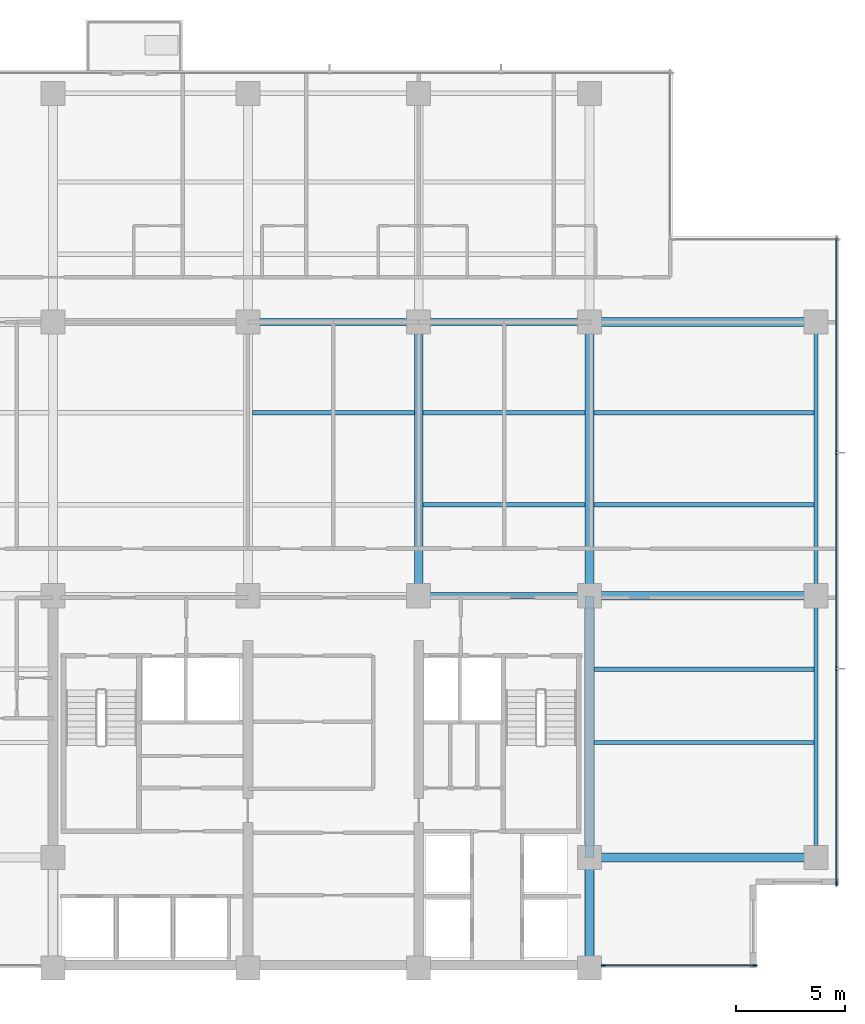
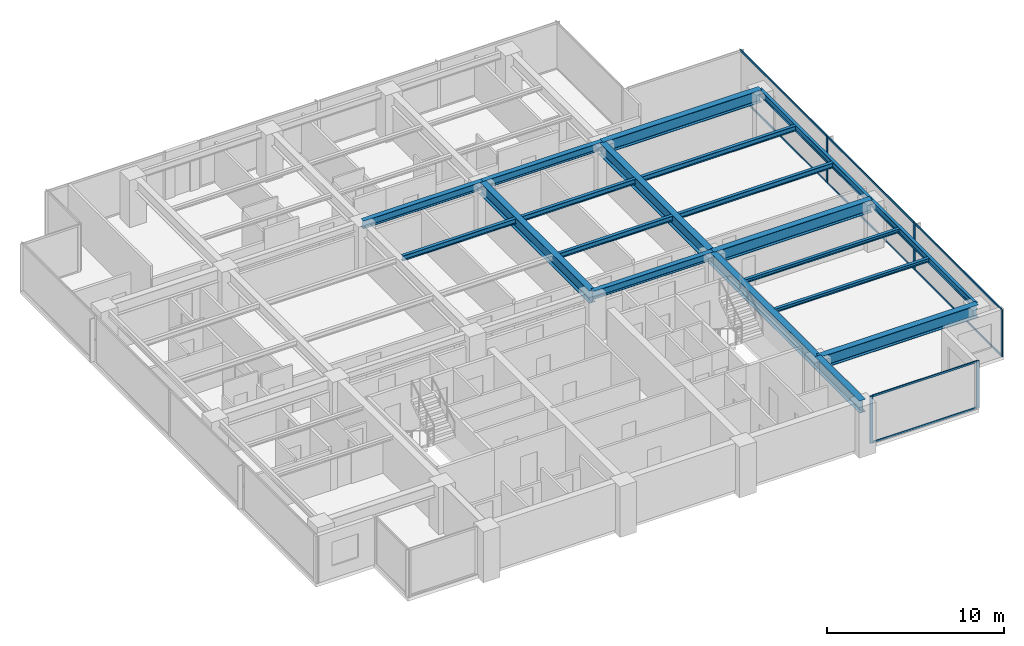
# One storey, part 3 of 14: 19 beams, 13 members, 2 elements without a shape of their own.
"""IFC4 building model written with IfcOpenShell, lengths in metres."""

from ifc_helpers import new_model, si_unit, direction, frame, origin, origin_2d, place, context, subcontext, project, spatial, rectangle, i_section, extrude, material, layer, layer_set, material_profile, profile_set, type_object, element, aggregate, save


model = new_model("IFC4")

# Units and contexts
model_context = context("Model", 3, precision=1e-05, world=origin(), true_north=direction((0.0, 1.0)))
body_context = subcontext(model_context, "Body", "Model", "MODEL_VIEW")
ifc_project = project(units=[si_unit("LENGTHUNIT", "METRE"), si_unit("AREAUNIT", "SQUARE_METRE"), si_unit("VOLUMEUNIT", "CUBIC_METRE"), si_unit("PLANEANGLEUNIT", "RADIAN"), si_unit("MASSUNIT", "GRAM", prefix="KILO")], contexts=[model_context])

# Site, building, storey
site_placement = place(None, origin())
site = spatial("IfcSite", under=ifc_project, at=site_placement, CompositionType="ELEMENT")
building_placement = place(site_placement, origin())
building = spatial("IfcBuilding", under=site, at=building_placement, Name="Qalmaran Belvedere Hotel", CompositionType="ELEMENT")
storey_placement = place(building_placement, frame((0.0, 0.0, 156.10009765625)))
storey = spatial("IfcBuildingStorey", under=building, at=storey_placement, Name="L39", CompositionType="ELEMENT", Elevation=156.10009765625)

# Beams
ifc_material_1 = material(Name="Steel S355JR", Category="steel")
ifc_material_profile_1 = material_profile(ifc_material_1, i_section(OverallWidth=0.201904296875, OverallDepth=0.2470703125, WebThickness=0.00732421875, FlangeThickness=0.010986328125, FilletRadius=0.011962890625, at=origin_2d()), Name="W250X49")
ifc_profile_set_1 = profile_set([ifc_material_profile_1], Name="Steel S355JR")
beam_type_1 = type_object("IfcBeamType", Name="BM-JST-W250X49", PredefinedType="JOIST", material=ifc_profile_set_1)
for number, where, z_axis, x_axis, name in (
    (1, (44.998046875, 13.800048828125, 3.12646484375), (1.0, 0.0, 0.0), (0.0, 1.0, 0.0), "L39 East Wing Joist 039"),
    (2, (44.998046875, 17.14990234375, 3.12646484375), (1.0, 0.0, 0.0), (0.0, 1.0, 0.0), "L39 East Wing Joist 041"),
):
    element("IfcBeam", number, at=place(storey_placement, frame(where, z_axis=z_axis, x_axis=x_axis)), inside=storey, type_object=beam_type_1, Name=name, PredefinedType="JOIST", context=body_context, shape_type="SweptSolid", body=[
        extrude(i_section(OverallWidth=0.201904296875, OverallDepth=0.2470703125, WebThickness=0.00732421875, FlangeThickness=0.010986328125, FilletRadius=0.011962890625, at=origin_2d()), origin(), (0.0, 0.0, 1.0), 10.057861328125),
    ])
ifc_material_profile_2 = material_profile(ifc_material_1, i_section(OverallWidth=0.39990234375, OverallDepth=0.85498046875, WebThickness=0.018310546875, FlangeThickness=0.029296875, FilletRadius=0.02392578125, at=origin_2d()), Name="W840X299")
ifc_profile_set_2 = profile_set([ifc_material_profile_2], Name="Steel S355JR")
beam_type_2 = type_object("IfcBeamType", Name="BM-PG3-W840X299", PredefinedType="USERDEFINED", material=ifc_profile_set_2)
for number, where, z_axis, x_axis, name in (
    (3, (37.0, 20.5, 2.822509765625), (0.0, 1.0, 0.0), (-1.0, 0.0, 0.0), "L39 Mid-Plate N-S Girder 18"),
    (4, (44.800048828125, 20.5, 2.822509765625), (0.0, 1.0, 0.0), (-1.0, 0.0, 0.0), "L39 Mid-Plate N-S Girder 20"),
):
    element("IfcBeam", number, at=place(storey_placement, frame(where, z_axis=z_axis, x_axis=x_axis)), inside=storey, type_object=beam_type_2, Name=name, ObjectType="GIRDER", PredefinedType="USERDEFINED", context=body_context, shape_type="SweptSolid", body=[
        extrude(i_section(OverallWidth=0.39990234375, OverallDepth=0.85498046875, WebThickness=0.018310546875, FlangeThickness=0.029296875, FilletRadius=0.02392578125, at=origin_2d()), origin(), (0.0, 0.0, 1.0), 12.5),
    ])
beam_1_placement = place(storey_placement, frame((44.800048828125, 3.5, 2.822509765625), z_axis=(0.0, 1.0, 0.0), x_axis=(-1.0, 0.0, 0.0)))
element("IfcBeam", 5, at=beam_1_placement, inside=storey, type_object=beam_type_2, Name="L39 East Core Edge Girder A", ObjectType="GIRDER", PredefinedType="USERDEFINED", context=body_context, shape_type="SweptSolid", body=[
    extrude(i_section(OverallWidth=0.39990234375, OverallDepth=0.85498046875, WebThickness=0.018310546875, FlangeThickness=0.029296875, FilletRadius=0.02392578125, at=origin_2d()), origin(), (0.0, 0.0, 1.0), 5.050048828125),
])
beam_2_placement = place(storey_placement, frame((44.800048828125, 8.550048828125, 2.822509765625), z_axis=(0.0, 1.0, 0.0), x_axis=(-1.0, 0.0, 0.0)))
element("IfcBeam", 6, at=beam_2_placement, inside=storey, type_object=beam_type_2, Name="L39 East Core Edge Girder B", ObjectType="GIRDER", PredefinedType="USERDEFINED", context=body_context, shape_type="SweptSolid", body=[
    extrude(i_section(OverallWidth=0.39990234375, OverallDepth=0.85498046875, WebThickness=0.018310546875, FlangeThickness=0.029296875, FilletRadius=0.02392578125, at=origin_2d()), origin(), (0.0, 0.0, 1.0), 11.949951171875),
])
for number, where, z_axis, x_axis, name in (
    (7, (44.800048828125, 8.550048828125, 2.822509765625), (1.0, 0.0, 0.0), (0.0, 1.0, 0.0), "L39 East Wing Girder 25"),
    (8, (44.800048828125, 20.5, 2.822509765625), (1.0, 0.0, 0.0), (0.0, 1.0, 0.0), "L39 East Wing Girder 26"),
    (9, (44.800048828125, 33.0, 2.822509765625), (1.0, 0.0, 0.0), (0.0, 1.0, 0.0), "L39 East Wing Girder 27"),
):
    element("IfcBeam", number, at=place(storey_placement, frame(where, z_axis=z_axis, x_axis=x_axis)), inside=storey, type_object=beam_type_2, Name=name, ObjectType="GIRDER", PredefinedType="USERDEFINED", context=body_context, shape_type="SweptSolid", body=[
        extrude(i_section(OverallWidth=0.39990234375, OverallDepth=0.85498046875, WebThickness=0.018310546875, FlangeThickness=0.029296875, FilletRadius=0.02392578125, at=origin_2d()), origin(), (0.0, 0.0, 1.0), 10.349853515625),
    ])
ifc_material_profile_3 = material_profile(ifc_material_1, i_section(OverallWidth=0.205078125, OverallDepth=0.35400390625, WebThickness=0.009521484375, FlangeThickness=0.016845703125, FilletRadius=0.014892578125, at=origin_2d()), Name="W360X79")
ifc_profile_set_3 = profile_set([ifc_material_profile_3], Name="Steel S355JR")
beam_type_3 = type_object("IfcBeamType", Name="BM-SB3-W360X79", PredefinedType="BEAM", material=ifc_profile_set_3)
beam_3_placement = place(storey_placement, frame((37.197998046875, 24.64990234375, 3.072998046875), z_axis=(1.0, 0.0, 0.0), x_axis=(0.0, 1.0, 0.0)))
element("IfcBeam", 10, at=beam_3_placement, inside=storey, type_object=beam_type_3, Name="L39 Secondary Floor Beam 031", PredefinedType="BEAM", context=body_context, shape_type="SweptSolid", body=[
    extrude(i_section(OverallWidth=0.205078125, OverallDepth=0.35400390625, WebThickness=0.009521484375, FlangeThickness=0.016845703125, FilletRadius=0.014892578125, at=origin_2d()), origin(), (0.0, 0.0, 1.0), 7.404052734375),
])
beam_4_placement = place(storey_placement, frame((44.998046875, 24.64990234375, 3.072998046875), z_axis=(1.0, 0.0, 0.0), x_axis=(0.0, 1.0, 0.0)))
element("IfcBeam", 11, at=beam_4_placement, inside=storey, type_object=beam_type_3, Name="L39 East Secondary Beam 032", PredefinedType="BEAM", context=body_context, shape_type="SweptSolid", body=[
    extrude(i_section(OverallWidth=0.205078125, OverallDepth=0.35400390625, WebThickness=0.009521484375, FlangeThickness=0.016845703125, FilletRadius=0.014892578125, at=origin_2d()), origin(), (0.0, 0.0, 1.0), 10.057861328125),
])
for number, where, z_axis, x_axis, name in (
    (12, (29.39794921875, 28.85009765625, 3.072998046875), (1.0, 0.0, 0.0), (0.0, 1.0, 0.0), "L39 Secondary Floor Beam 035"),
    (13, (37.197998046875, 28.85009765625, 3.072998046875), (1.0, 0.0, 0.0), (0.0, 1.0, 0.0), "L39 Secondary Floor Beam 036"),
):
    element("IfcBeam", number, at=place(storey_placement, frame(where, z_axis=z_axis, x_axis=x_axis)), inside=storey, type_object=beam_type_3, Name=name, PredefinedType="BEAM", context=body_context, shape_type="SweptSolid", body=[
        extrude(i_section(OverallWidth=0.205078125, OverallDepth=0.35400390625, WebThickness=0.009521484375, FlangeThickness=0.016845703125, FilletRadius=0.014892578125, at=origin_2d()), origin(), (0.0, 0.0, 1.0), 7.404052734375),
    ])
beam_5_placement = place(storey_placement, frame((44.998046875, 28.85009765625, 3.072998046875), z_axis=(1.0, 0.0, 0.0), x_axis=(0.0, 1.0, 0.0)))
element("IfcBeam", 14, at=beam_5_placement, inside=storey, type_object=beam_type_3, Name="L39 East Secondary Beam 037", PredefinedType="BEAM", context=body_context, shape_type="SweptSolid", body=[
    extrude(i_section(OverallWidth=0.205078125, OverallDepth=0.35400390625, WebThickness=0.009521484375, FlangeThickness=0.016845703125, FilletRadius=0.014892578125, at=origin_2d()), origin(), (0.0, 0.0, 1.0), 10.057861328125),
])
ifc_material_profile_4 = material_profile(ifc_material_1, i_section(OverallWidth=0.19189453125, OverallDepth=0.462890625, WebThickness=0.010498046875, FlangeThickness=0.017578125, FilletRadius=0.01611328125, at=origin_2d()), Name="W460X89")
ifc_profile_set_4 = profile_set([ifc_material_profile_4], Name="Steel S355JR")
beam_type_4 = type_object("IfcBeamType", Name="BM-SP2-W460X89", PredefinedType="SPANDREL", material=ifc_profile_set_4)
beam_6_placement = place(storey_placement, frame((55.14990234375, 8.550048828125, 3.018310546875), z_axis=(0.0, 1.0, 0.0), x_axis=(-1.0, 0.0, 0.0)))
element("IfcBeam", 15, at=beam_6_placement, inside=storey, type_object=beam_type_4, Name="L39 Perimeter Spandrel 03", PredefinedType="SPANDREL", context=body_context, shape_type="SweptSolid", body=[
    extrude(i_section(OverallWidth=0.19189453125, OverallDepth=0.462890625, WebThickness=0.010498046875, FlangeThickness=0.017578125, FilletRadius=0.01611328125, at=origin_2d()), origin(), (0.0, 0.0, 1.0), 11.949951171875),
])
beam_7_placement = place(storey_placement, frame((55.14990234375, 20.5, 3.018310546875), z_axis=(0.0, 1.0, 0.0), x_axis=(-1.0, 0.0, 0.0)))
element("IfcBeam", 16, at=beam_7_placement, inside=storey, type_object=beam_type_4, Name="L39 Perimeter Spandrel 04", PredefinedType="SPANDREL", context=body_context, shape_type="SweptSolid", body=[
    extrude(i_section(OverallWidth=0.19189453125, OverallDepth=0.462890625, WebThickness=0.010498046875, FlangeThickness=0.017578125, FilletRadius=0.01611328125, at=origin_2d()), origin(), (0.0, 0.0, 1.0), 12.5),
])
ifc_material_profile_5 = material_profile(ifc_material_1, i_section(OverallWidth=0.31201171875, OverallDepth=0.54296875, WebThickness=0.0126953125, FlangeThickness=0.020263671875, FilletRadius=0.01806640625, at=origin_2d()), Name="W530X150")
ifc_profile_set_5 = profile_set([ifc_material_profile_5], Name="Steel S355JR")
beam_type_5 = type_object("IfcBeamType", Name="BM-Z3-W530X150", PredefinedType="USERDEFINED", material=ifc_profile_set_5)
for number, where, z_axis, x_axis, name in (
    (17, (37.0, 20.5, 2.978515625), (1.0, 0.0, 0.0), (0.0, 1.0, 0.0), "L39 Interior E-W Girder 10"),
    (18, (29.199951171875, 33.0, 2.978515625), (1.0, 0.0, 0.0), (0.0, 1.0, 0.0), "L39 Interior E-W Girder 12"),
    (19, (37.0, 33.0, 2.978515625), (1.0, 0.0, 0.0), (0.0, 1.0, 0.0), "L39 Interior E-W Girder 13"),
):
    element("IfcBeam", number, at=place(storey_placement, frame(where, z_axis=z_axis, x_axis=x_axis)), inside=storey, type_object=beam_type_5, Name=name, ObjectType="GIRDER", PredefinedType="USERDEFINED", context=body_context, shape_type="SweptSolid", body=[
        extrude(i_section(OverallWidth=0.31201171875, OverallDepth=0.54296875, WebThickness=0.0126953125, FlangeThickness=0.020263671875, FilletRadius=0.01806640625, at=origin_2d()), origin(), (0.0, 0.0, 1.0), 7.800048828125),
    ])

# Curtain wall, members
ifc_material_2 = material(Name="Anodised Bronze Aluminium", Category="aluminium")
ifc_layer = layer(ifc_material_2, 0.195068359375, Name="Anodised Bronze Aluminium")
ifc_layer_set = layer_set([ifc_layer], Name="Anodised Bronze Aluminium")
curtain_wall_type = type_object("IfcCurtainWallType", Name="CW4-TOWER-HIGHMID", PredefinedType="NOTDEFINED", material=ifc_layer_set)
curtain_wall_1_placement = place(storey_placement, origin())
curtain_wall_1 = element("IfcCurtainWall", 20, at=curtain_wall_1_placement, inside=storey, type_object=curtain_wall_type, Name="L39 Curtain Wall CW4", PredefinedType="NOTDEFINED")
ifc_material_profile_6 = material_profile(ifc_material_2, rectangle(XDim=0.070068359375, YDim=0.18994140625, at=origin_2d()), Name="CWM70X190")
ifc_profile_set_6 = profile_set([ifc_material_profile_6], Name="Anodised Bronze Aluminium")
member_type_1 = type_object("IfcMemberType", Name="CWM-70X190", PredefinedType="MULLION", material=ifc_profile_set_6)
member_1_placement = place(storey_placement, frame((45.425048828125, 3.6201171875, 0.0), z_axis=(0.0, 0.0, 1.0), x_axis=(0.0, 1.0, 0.0)))
member_1 = element("IfcMember", 21, at=member_1_placement, type_object=member_type_1, Name="CW4 mullion 1", PredefinedType="MULLION", context=body_context, shape_type="SweptSolid", body=[
    extrude(rectangle(XDim=0.070068359375, YDim=0.18994140625, at=origin_2d()), origin(), (0.0, 0.0, 1.0), 3.25),
])
member_2_placement = place(storey_placement, frame((52.364990234375, 3.6201171875, 0.0), z_axis=(0.0, 0.0, 1.0), x_axis=(0.0, 1.0, 0.0)))
member_2 = element("IfcMember", 22, at=member_2_placement, type_object=member_type_1, Name="CW4 mullion 2", PredefinedType="MULLION", context=body_context, shape_type="SweptSolid", body=[
    extrude(rectangle(XDim=0.070068359375, YDim=0.18994140625, at=origin_2d()), origin(), (0.0, 0.0, 1.0), 3.25),
])

curtain_wall_2_placement = place(storey_placement, origin())
curtain_wall_2 = element("IfcCurtainWall", 23, at=curtain_wall_2_placement, inside=storey, type_object=curtain_wall_type, Name="L39 Curtain Wall CW4", PredefinedType="NOTDEFINED")
member_3_placement = place(storey_placement, frame((56.080078125, 7.3349609375, 0.0), z_axis=(0.0, 0.0, 1.0), x_axis=(-1.0, 0.0, 0.0)))
member_3 = element("IfcMember", 24, at=member_3_placement, type_object=member_type_1, Name="CW4 mullion 1", PredefinedType="MULLION", context=body_context, shape_type="SweptSolid", body=[
    extrude(rectangle(XDim=0.070068359375, YDim=0.18994140625, at=origin_2d()), origin(), (0.0, 0.0, 1.0), 3.25),
])
member_4_placement = place(storey_placement, frame((56.080078125, 17.166748046875, 0.0), z_axis=(0.0, 0.0, 1.0), x_axis=(-1.0, 0.0, 0.0)))
member_4 = element("IfcMember", 25, at=member_4_placement, type_object=member_type_1, Name="CW4 mullion 2", PredefinedType="MULLION", context=body_context, shape_type="SweptSolid", body=[
    extrude(rectangle(XDim=0.070068359375, YDim=0.18994140625, at=origin_2d()), origin(), (0.0, 0.0, 1.0), 3.25),
])
member_5_placement = place(storey_placement, frame((56.080078125, 27.033447265625, 0.0), z_axis=(0.0, 0.0, 1.0), x_axis=(-1.0, 0.0, 0.0)))
member_5 = element("IfcMember", 26, at=member_5_placement, type_object=member_type_1, Name="CW4 mullion 3", PredefinedType="MULLION", context=body_context, shape_type="SweptSolid", body=[
    extrude(rectangle(XDim=0.070068359375, YDim=0.18994140625, at=origin_2d()), origin(), (0.0, 0.0, 1.0), 3.25),
])

# Member
ifc_material_profile_7 = material_profile(ifc_material_2, rectangle(XDim=0.06494140625, YDim=0.1298828125, at=origin_2d()), Name="CWT65X130")
ifc_profile_set_7 = profile_set([ifc_material_profile_7], Name="Anodised Bronze Aluminium")
member_type_2 = type_object("IfcMemberType", Name="CWT-65X130", PredefinedType="USERDEFINED", material=ifc_profile_set_7)
member_6_placement = place(storey_placement, frame((45.4599609375, 3.6201171875, 0.032470703125), z_axis=(1.0, 0.0, 0.0), x_axis=(0.0, 1.0, 0.0)))
member_6 = element("IfcMember", 27, at=member_6_placement, type_object=member_type_2, Name="CW4 transom 1.1", ObjectType="TRANSOM", PredefinedType="USERDEFINED", context=body_context, shape_type="SweptSolid", body=[
    extrude(rectangle(XDim=0.06494140625, YDim=0.1298828125, at=origin_2d()), origin(), (0.0, 0.0, 1.0), 6.8701171875),
])

member_7_placement = place(storey_placement, frame((45.4599609375, 3.6201171875, 3.21728515625), z_axis=(1.0, 0.0, 0.0), x_axis=(0.0, 1.0, 0.0)))
member_7 = element("IfcMember", 28, at=member_7_placement, type_object=member_type_2, Name="CW4 transom 1.2", ObjectType="TRANSOM", PredefinedType="USERDEFINED", context=body_context, shape_type="SweptSolid", body=[
    extrude(rectangle(XDim=0.06494140625, YDim=0.1298828125, at=origin_2d()), origin(), (0.0, 0.0, 1.0), 6.8701171875),
])

aggregate(curtain_wall_1, [member_1, member_2, member_6, member_7])

member_8_placement = place(storey_placement, frame((56.080078125, 7.3701171875, 0.032470703125), z_axis=(0.0, 1.0, 0.0), x_axis=(-1.0, 0.0, 0.0)))
member_8 = element("IfcMember", 29, at=member_8_placement, type_object=member_type_2, Name="CW4 transom 1.1", ObjectType="TRANSOM", PredefinedType="USERDEFINED", context=body_context, shape_type="SweptSolid", body=[
    extrude(rectangle(XDim=0.06494140625, YDim=0.1298828125, at=origin_2d()), origin(), (0.0, 0.0, 1.0), 9.761474609375),
])

member_9_placement = place(storey_placement, frame((56.080078125, 7.3701171875, 3.21728515625), z_axis=(0.0, 1.0, 0.0), x_axis=(-1.0, 0.0, 0.0)))
member_9 = element("IfcMember", 30, at=member_9_placement, type_object=member_type_2, Name="CW4 transom 1.2", ObjectType="TRANSOM", PredefinedType="USERDEFINED", context=body_context, shape_type="SweptSolid", body=[
    extrude(rectangle(XDim=0.06494140625, YDim=0.1298828125, at=origin_2d()), origin(), (0.0, 0.0, 1.0), 9.761474609375),
])

member_10_placement = place(storey_placement, frame((56.080078125, 17.20166015625, 0.032470703125), z_axis=(0.0, 1.0, 0.0), x_axis=(-1.0, 0.0, 0.0)))
member_10 = element("IfcMember", 31, at=member_10_placement, type_object=member_type_2, Name="CW4 transom 2.1", ObjectType="TRANSOM", PredefinedType="USERDEFINED", context=body_context, shape_type="SweptSolid", body=[
    extrude(rectangle(XDim=0.06494140625, YDim=0.1298828125, at=origin_2d()), origin(), (0.0, 0.0, 1.0), 9.796630859375),
])

member_11_placement = place(storey_placement, frame((56.080078125, 17.20166015625, 3.21728515625), z_axis=(0.0, 1.0, 0.0), x_axis=(-1.0, 0.0, 0.0)))
member_11 = element("IfcMember", 32, at=member_11_placement, type_object=member_type_2, Name="CW4 transom 2.2", ObjectType="TRANSOM", PredefinedType="USERDEFINED", context=body_context, shape_type="SweptSolid", body=[
    extrude(rectangle(XDim=0.06494140625, YDim=0.1298828125, at=origin_2d()), origin(), (0.0, 0.0, 1.0), 9.796630859375),
])

member_12_placement = place(storey_placement, frame((56.080078125, 27.068359375, 0.032470703125), z_axis=(0.0, 1.0, 0.0), x_axis=(-1.0, 0.0, 0.0)))
member_12 = element("IfcMember", 33, at=member_12_placement, type_object=member_type_2, Name="CW4 transom 3.1", ObjectType="TRANSOM", PredefinedType="USERDEFINED", context=body_context, shape_type="SweptSolid", body=[
    extrude(rectangle(XDim=0.06494140625, YDim=0.1298828125, at=origin_2d()), origin(), (0.0, 0.0, 1.0), 9.76171875),
])

member_13_placement = place(storey_placement, frame((56.080078125, 27.068359375, 3.21728515625), z_axis=(0.0, 1.0, 0.0), x_axis=(-1.0, 0.0, 0.0)))
member_13 = element("IfcMember", 34, at=member_13_placement, type_object=member_type_2, Name="CW4 transom 3.2", ObjectType="TRANSOM", PredefinedType="USERDEFINED", context=body_context, shape_type="SweptSolid", body=[
    extrude(rectangle(XDim=0.06494140625, YDim=0.1298828125, at=origin_2d()), origin(), (0.0, 0.0, 1.0), 9.76171875),
])

aggregate(curtain_wall_2, [member_3, member_4, member_5, member_8, member_9, member_10, member_11, member_12, member_13])

save(model, "model.ifc")
